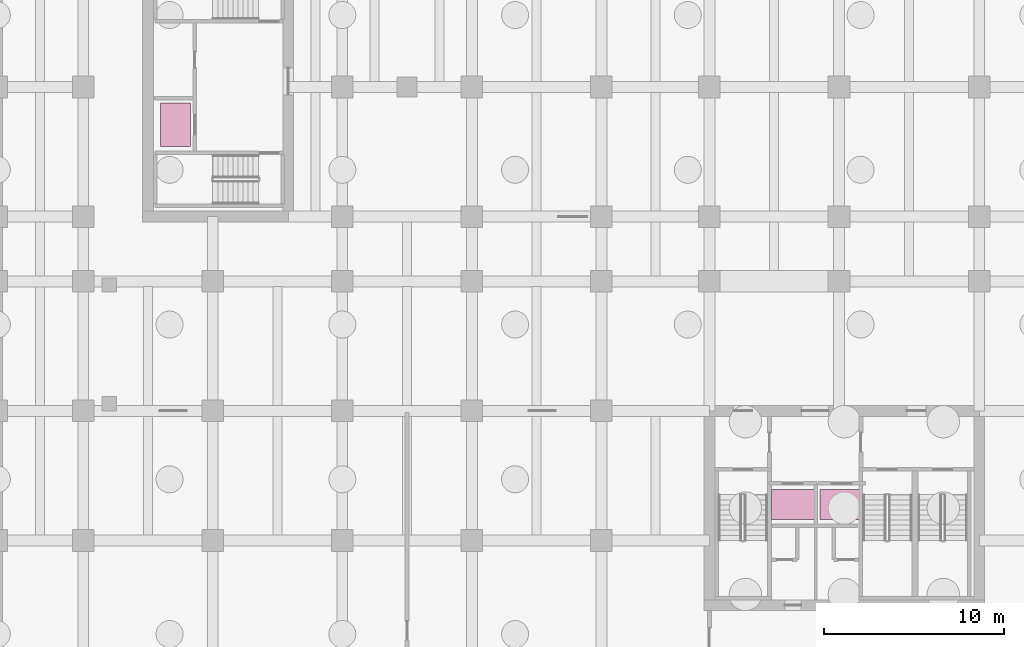
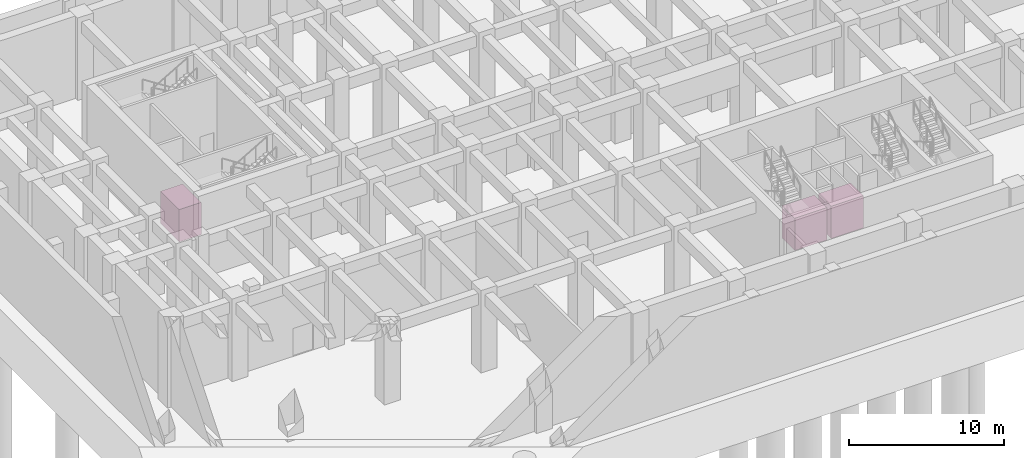
# One storey, part 13 of 13: 3 transport elements.
"""IFC4 building model written with IfcOpenShell, lengths in metres."""

from ifc_helpers import new_model, si_unit, derived_unit, direction, frame, origin, origin_2d, place, context, subcontext, project, spatial, rectangle, extrude, source, transform, mapped, material, type_object, type_shapes, element, save


model = new_model("IFC4")

# Units and contexts
model_context = context("Model", 3, precision=1e-05, world=origin(), true_north=direction((0.0, 1.0)))
body_context = subcontext(model_context, "Body", "Model", "MODEL_VIEW")
ifc_project = project(units=[si_unit("LENGTHUNIT", "METRE"), si_unit("AREAUNIT", "SQUARE_METRE"), si_unit("VOLUMEUNIT", "CUBIC_METRE"), si_unit("PLANEANGLEUNIT", "RADIAN"), si_unit("MASSUNIT", "GRAM", prefix="KILO"), si_unit("THERMODYNAMICTEMPERATUREUNIT", "KELVIN"), si_unit("POWERUNIT", "WATT"), derived_unit("THERMALTRANSMITTANCEUNIT", [(si_unit("POWERUNIT", "WATT"), 1), (si_unit("AREAUNIT", "SQUARE_METRE"), -1), (si_unit("THERMODYNAMICTEMPERATUREUNIT", "KELVIN"), -1)])], contexts=[model_context])

# Site, building, storey
site_placement = place(None, origin())
site = spatial("IfcSite", under=ifc_project, at=site_placement, CompositionType="ELEMENT")
building_placement = place(site_placement, origin())
building = spatial("IfcBuilding", under=site, at=building_placement, Name="Zahravan Archway Hotel and Residences", CompositionType="ELEMENT")
storey_placement = place(building_placement, frame((0.0, 0.0, -13.0)))
storey = spatial("IfcBuildingStorey", under=building, at=storey_placement, Name="B02", CompositionType="ELEMENT", Elevation=-13.0)

# Transport elements
ifc_material = material(Name="Brushed Stainless Steel", Category="steel")
transport_element_type_1 = type_object("IfcTransportElementType", Name="LFT-CAR-FSAE", PredefinedType="ELEVATOR", material=ifc_material)
shared_shape_1 = source(origin(), body_context, "Body", "SweptSolid", [
    extrude(rectangle(XDim=2.39990234375, YDim=1.64990234375, at=origin_2d()), origin(), (0.0, 0.0, 1.0), 2.550048828125),
])
type_shapes(transport_element_type_1, [shared_shape_1])
for number, where, z_axis, x_axis, name in (
    (1, (39.43994140625, 9.199951171875, 0.02490234375), (0.0, 0.0, 1.0), (1.0, 0.0, 0.0), "Elevator FL-1 (Core A Fire Service Access Stretcher Lift 1)"),
    (2, (42.159912109375, 9.199951171875, 0.02490234375), (0.0, 0.0, 1.0), (1.0, 0.0, 0.0), "Elevator FL-2 (Core A Fire Service Access Stretcher Lift 2)"),
):
    element("IfcTransportElement", number, at=place(storey_placement, frame(where, z_axis=z_axis, x_axis=x_axis)), inside=storey, type_object=transport_element_type_1, Name=name, PredefinedType="ELEVATOR", context=body_context, shape_type="MappedRepresentation", body=[
        mapped(shared_shape_1, transform((0.0, 0.0, 0.0), scale=1.0)),
    ])
transport_element_type_2 = type_object("IfcTransportElementType", Name="LFT-CAR-SVC", PredefinedType="ELEVATOR", material=ifc_material)
shared_shape_2 = source(origin(), body_context, "Body", "SweptSolid", [
    extrude(rectangle(XDim=1.64990234375, YDim=2.39990234375, at=origin_2d()), origin(), (0.0, 0.0, 1.0), 2.550048828125),
])
type_shapes(transport_element_type_2, [shared_shape_2])
transport_element_placement = place(storey_placement, frame((5.125, 30.300048828125, 0.02490234375), z_axis=(0.0, 0.0, 1.0), x_axis=(1.0, 0.0, 0.0)))
element("IfcTransportElement", 3, at=transport_element_placement, inside=storey, type_object=transport_element_type_2, Name="Elevator FL-3 (Core B Stretcher Service Lift 3)", PredefinedType="ELEVATOR", context=body_context, shape_type="MappedRepresentation", body=[
    mapped(shared_shape_2, transform((0.0, 0.0, 0.0), scale=1.0)),
])

save(model, "model.ifc")
